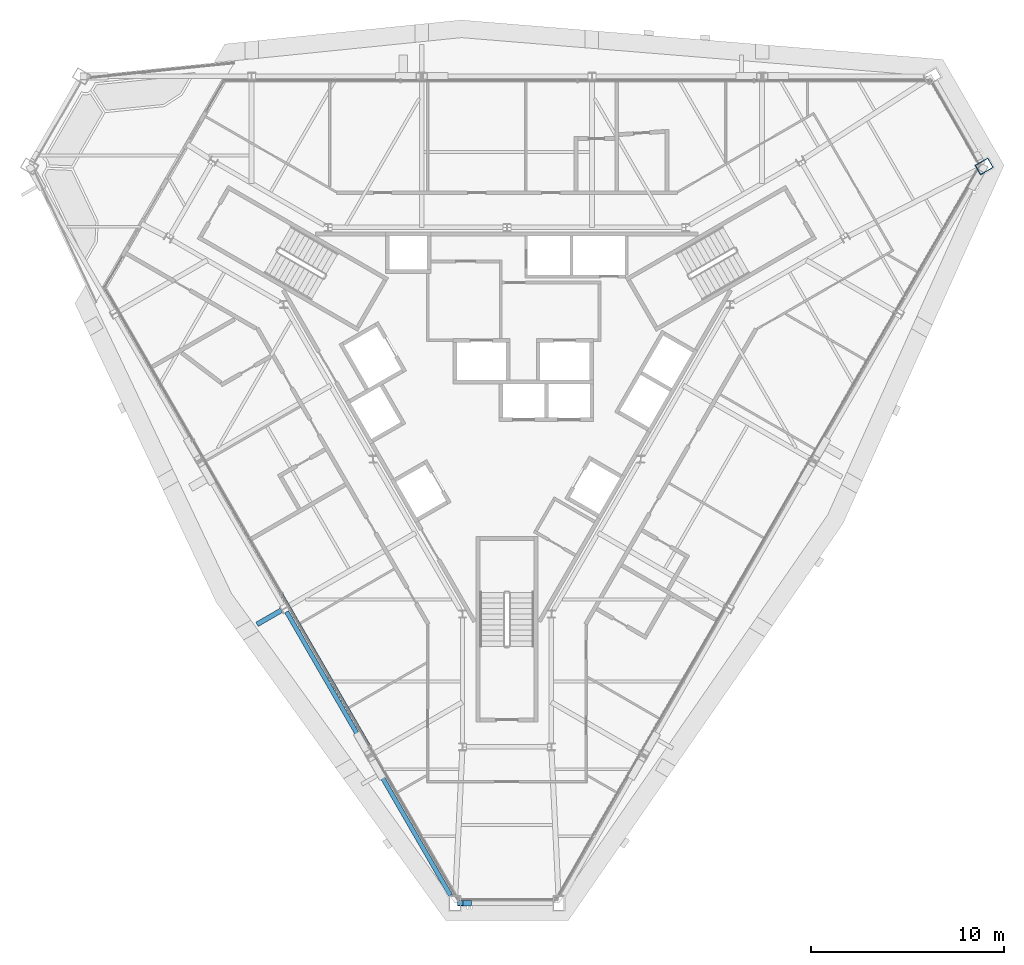
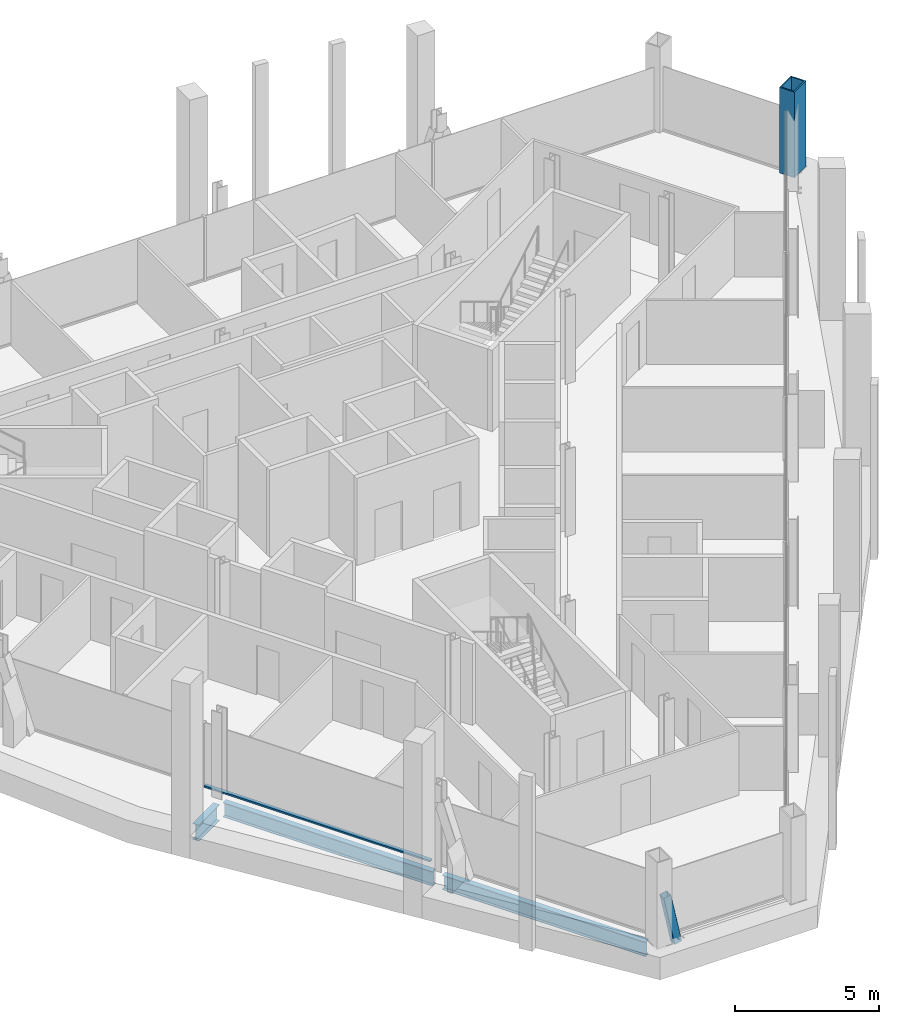
# One storey, part 2 of 14: 3 beams, 2 members, 1 column, 1 element without a shape of its own.
"""IFC4 building model written with IfcOpenShell, lengths in metres."""

from ifc_helpers import new_model, si_unit, direction, frame, origin, origin_2d, place, context, subcontext, project, spatial, rectangle, hollow_rectangle, i_section, extrude, material, material_profile, profile_set, type_object, element, aggregate, save


model = new_model("IFC4")

# Units and contexts
model_context = context("Model", 3, precision=1e-05, world=origin(), true_north=direction((0.0, 1.0)))
body_context = subcontext(model_context, "Body", "Model", "MODEL_VIEW")
ifc_project = project(units=[si_unit("LENGTHUNIT", "METRE"), si_unit("AREAUNIT", "SQUARE_METRE"), si_unit("VOLUMEUNIT", "CUBIC_METRE"), si_unit("PLANEANGLEUNIT", "RADIAN"), si_unit("MASSUNIT", "GRAM", prefix="KILO")], contexts=[model_context])

# Site, building, storey
site_placement = place(None, origin())
site = spatial("IfcSite", under=ifc_project, at=site_placement, CompositionType="ELEMENT")
building_placement = place(site_placement, origin())
building = spatial("IfcBuilding", under=site, at=building_placement, Name="Verrane Prism Tower", CompositionType="ELEMENT")
storey_placement = place(building_placement, frame((0.0, 0.0, 228.60009765625)))
storey = spatial("IfcBuildingStorey", under=building, at=storey_placement, Name="L57", CompositionType="ELEMENT", Elevation=228.60009765625)

# Column
ifc_material_1 = material(Name="Steel A572 Grade 50", Category="steel")
ifc_material_profile_1 = material_profile(ifc_material_1, hollow_rectangle(XDim=0.60009765625, YDim=0.800048828125, WallThickness=0.050048828125, at=origin_2d()), Name="BOX 800x600x50")
ifc_profile_set_1 = profile_set([ifc_material_profile_1], Name="Steel A572 Grade 50")
column_type = type_object("IfcColumnType", Name="Megacolumn BOX 800x600x50", PredefinedType="COLUMN", material=ifc_profile_set_1)
column_placement = place(storey_placement, frame((24.719970703125, 11.159912109375, 0.0), z_axis=(0.0, 0.0, 1.0), x_axis=(0.5, -0.866025403784, 0.0)))
element("IfcColumn", 1, at=column_placement, inside=storey, type_object=column_type, Name="Megacolumn MC-NE.a L57", PredefinedType="COLUMN", context=body_context, shape_type="SweptSolid", body=[
    extrude(hollow_rectangle(XDim=0.60009765625, YDim=0.800048828125, WallThickness=0.050048828125, at=origin_2d()), origin(), (0.0, 0.0, 1.0), 3.635009765625),
])

# Member
ifc_material_2 = material(Name="Steel A500 Grade C", Category="steel")
ifc_material_profile_2 = material_profile(ifc_material_2, hollow_rectangle(XDim=0.3046875, YDim=0.3046875, WallThickness=0.0126953125, InnerFilletRadius=0.00634765625, OuterFilletRadius=0.01904296875, at=origin_2d()), Name="HSS12x12x1/2")
ifc_profile_set_2 = profile_set([ifc_material_profile_2], Name="Steel A500 Grade C")
member_type_1 = type_object("IfcMemberType", Name="Chamfer brace HSS12x12x1/2", PredefinedType="BRACE", material=ifc_profile_set_2)
member_1_placement = place(storey_placement, frame((-1.98291015625, -26.989990234375, -0.24267578125), z_axis=(-0.203341801526, 0.0, 0.979107814162), x_axis=(0.0, -1.0, 0.0)))
element("IfcMember", 2, at=member_1_placement, inside=storey, type_object=member_type_1, Name="Chamfer brace S0 L57", PredefinedType="BRACE", context=body_context, shape_type="SweptSolid", body=[
    extrude(hollow_rectangle(XDim=0.3046875, YDim=0.3046875, WallThickness=0.0126953125, InnerFilletRadius=0.00634765625, OuterFilletRadius=0.01904296875, at=origin_2d()), origin(), (0.0, 0.0, 1.0), 2.149169921875),
])

# Beams
ifc_material_3 = material(Name="Steel A992", Category="steel")
ifc_material_profile_3 = material_profile(ifc_material_3, i_section(OverallWidth=0.25390625, OverallDepth=0.683349609375, WebThickness=0.012451171875, FlangeThickness=0.01904296875, FilletRadius=0.01513671875, at=origin_2d()), Name="W27x94")
ifc_profile_set_3 = profile_set([ifc_material_profile_3], Name="Steel A992")
beam_type_1 = type_object("IfcBeamType", Name="Radial girder W27x94", PredefinedType="BEAM", material=ifc_profile_set_3)
beam_1_placement = place(storey_placement, frame((-11.67919921875, -11.82763671875, -0.561767578125), z_axis=(-0.865987565159, -0.500065532695, 0.0), x_axis=(0.500065532695, -0.865987565159, 0.0)))
element("IfcBeam", 3, at=beam_1_placement, inside=storey, type_object=beam_type_1, Name="Cantilever girder L57", PredefinedType="BEAM", context=body_context, shape_type="SweptSolid", body=[
    extrude(i_section(OverallWidth=0.25390625, OverallDepth=0.683349609375, WebThickness=0.012451171875, FlangeThickness=0.01904296875, FilletRadius=0.01513671875, at=origin_2d()), origin(), (0.0, 0.0, 1.0), 1.457763671875),
])
ifc_material_4 = material(Name="Steel A992", Category="steel")
ifc_material_profile_4 = material_profile(ifc_material_4, i_section(OverallWidth=0.23046875, OverallDepth=0.6171875, WebThickness=0.01318359375, FlangeThickness=0.022216796875, FilletRadius=0.012939453125, at=origin_2d()), Name="W24x94")
ifc_profile_set_4 = profile_set([ifc_material_profile_4], Name="Steel A992")
beam_type_2 = type_object("IfcBeamType", Name="Spandrel beam W24x94", PredefinedType="SPANDREL", material=ifc_profile_set_4)
beam_2_placement = place(storey_placement, frame((-11.40966796875, -11.90380859375, -0.46875), z_axis=(0.500418309917, -0.865783757701, 0.0), x_axis=(0.865783757701, 0.500418309917, 0.0)))
element("IfcBeam", 4, at=beam_2_placement, inside=storey, type_object=beam_type_2, Name="Spandrel beam L57", PredefinedType="SPANDREL", context=body_context, shape_type="SweptSolid", body=[
    extrude(i_section(OverallWidth=0.23046875, OverallDepth=0.6171875, WebThickness=0.01318359375, FlangeThickness=0.022216796875, FilletRadius=0.012939453125, at=origin_2d()), origin(), (0.0, 0.0, 1.0), 8.411376953125),
])
beam_3_placement = place(storey_placement, frame((-6.99951171875, -19.53369140625, -0.46875), z_axis=(0.500400862537, -0.865793841958, 0.0), x_axis=(0.865793841958, 0.500400862537, 0.0)))
element("IfcBeam", 5, at=beam_3_placement, inside=storey, type_object=beam_type_2, Name="Spandrel beam L57", PredefinedType="SPANDREL", context=body_context, shape_type="SweptSolid", body=[
    extrude(i_section(OverallWidth=0.23046875, OverallDepth=0.6171875, WebThickness=0.01318359375, FlangeThickness=0.022216796875, FilletRadius=0.012939453125, at=origin_2d()), origin(), (0.0, 0.0, 1.0), 8.150146484375),
])

# Curtain wall, member
ifc_material_5 = material(Name="Aluminium framed insulated glazing", Category="aluminium")
curtain_wall_type = type_object("IfcCurtainWallType", Name="Curtain wall CW-A 8400 module", PredefinedType="NOTDEFINED", material=ifc_material_5)
curtain_wall_placement = place(storey_placement, origin())
curtain_wall = element("IfcCurtainWall", 6, at=curtain_wall_placement, inside=storey, type_object=curtain_wall_type, Name="Glazed curtain wall south-west face L57", PredefinedType="NOTDEFINED")
ifc_material_6 = material(Name="Aluminium alloy 6063-T6", Category="aluminium")
ifc_material_profile_5 = material_profile(ifc_material_6, rectangle(XDim=0.14990234375, YDim=0.070068359375, at=origin_2d()), Name="Transom 70x150 aluminium")
ifc_profile_set_5 = profile_set([ifc_material_profile_5], Name="Aluminium alloy 6063-T6")
member_type_2 = type_object("IfcMemberType", Name="Transom 70x150 aluminium", PredefinedType="USERDEFINED", material=ifc_profile_set_5)
member_2_placement = place(storey_placement, frame((-11.6689453125, -10.992431640625, 0.034912109375), z_axis=(0.499998569178, -0.866026229868, 0.0), x_axis=(0.866026229868, 0.499998569178, 0.0)))
member_2 = element("IfcMember", 7, at=member_2_placement, type_object=member_type_2, Name="CW57.4 transom 3", ObjectType="TRANSOM", PredefinedType="USERDEFINED", context=body_context, shape_type="SweptSolid", body=[
    extrude(rectangle(XDim=0.14990234375, YDim=0.070068359375, at=origin_2d()), origin(), (0.0, 0.0, 1.0), 9.08251953125),
])
aggregate(curtain_wall, [member_2])

save(model, "model.ifc")
